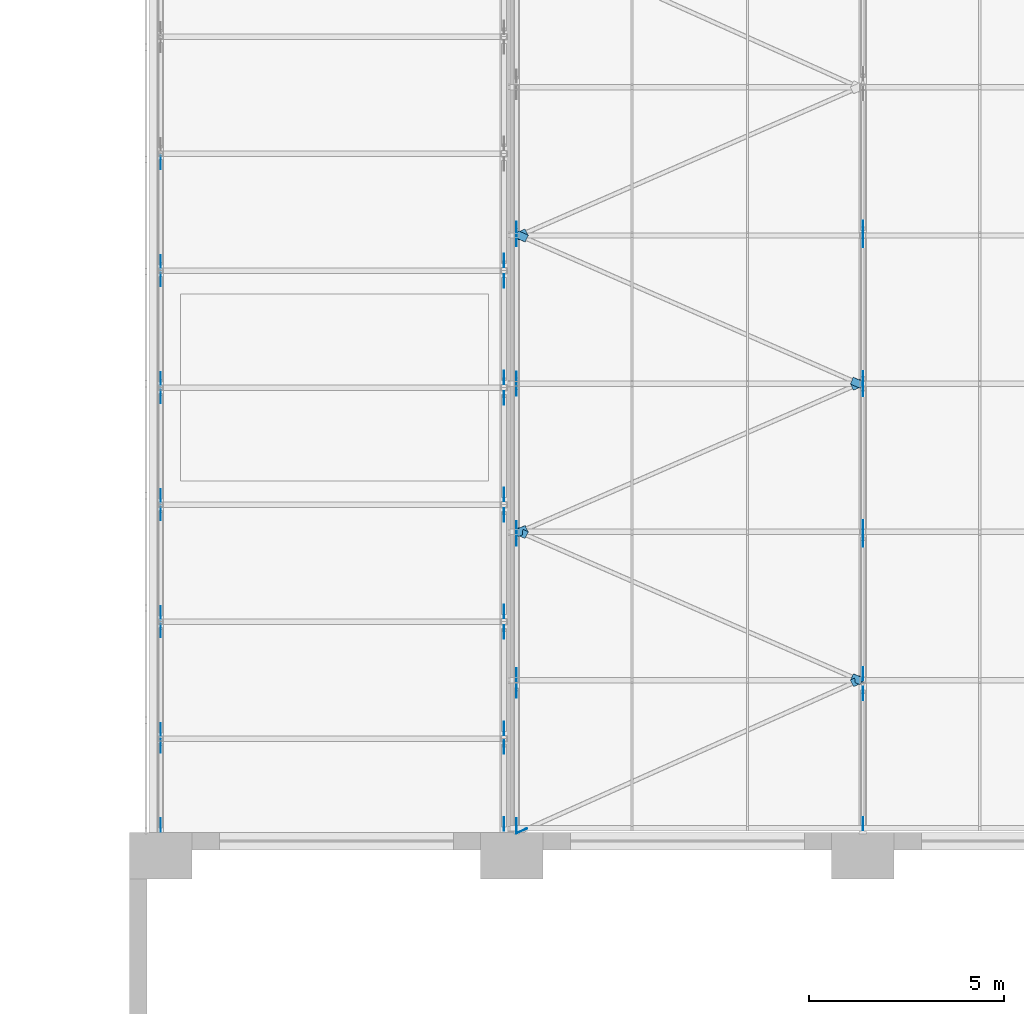
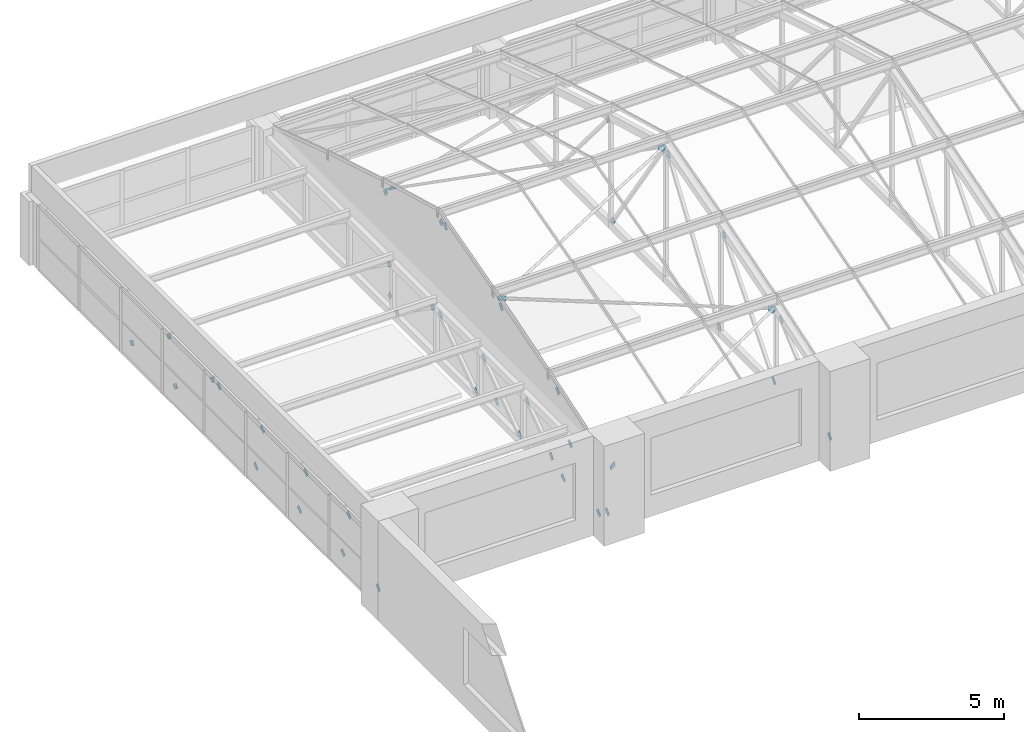
# One storey, part 65 of 82: 50 discrete accessories.
"""IFC4 building model written with IfcOpenShell, lengths in metres."""

from ifc_helpers import new_model, si_unit, direction, frame, origin, place, context, subcontext, project, spatial, polyline, outline, extrude, material, layer, layer_set, type_object, element, save


model = new_model("IFC4")

# Units and contexts
model_context = context("Model", 3, precision=1e-05, world=origin(), true_north=direction((0.0, 1.0)))
body_context = subcontext(model_context, "Body", "Model", "MODEL_VIEW")
ifc_project = project(units=[si_unit("LENGTHUNIT", "METRE"), si_unit("AREAUNIT", "SQUARE_METRE"), si_unit("VOLUMEUNIT", "CUBIC_METRE"), si_unit("PLANEANGLEUNIT", "RADIAN"), si_unit("MASSUNIT", "GRAM", prefix="KILO")], contexts=[model_context])

# Site, building, storey
site_placement = place(None, origin())
site = spatial("IfcSite", under=ifc_project, at=site_placement, CompositionType="ELEMENT")
building_placement = place(site_placement, origin())
building = spatial("IfcBuilding", under=site, at=building_placement, Name="Aravalli Gate Trade Fair Centre", CompositionType="ELEMENT")
storey_placement = place(building_placement, frame((0.0, 0.0, 19.199951171875)))
storey = spatial("IfcBuildingStorey", under=building, at=storey_placement, Name="L04", CompositionType="ELEMENT", Elevation=19.199951171875)

# Discrete accessories
ifc_material = material(Name="Steel E350", Category="steel")
ifc_layer = layer(ifc_material, 0.010009765625)
ifc_layer_set = layer_set([ifc_layer], Name="Steel E350")
discrete_accessory_type = type_object("IfcDiscreteAccessoryType", Name="Gusset plate 200 x 200 x 10", PredefinedType="USERDEFINED", material=ifc_layer_set)
discrete_accessory_1_placement = place(storey_placement, frame((5.9951171875, 109.955078125, 0.30908203125), z_axis=(-1.0, 0.0, 0.0), x_axis=(0.0, -0.744420022913, -0.667711636477)))
element("IfcDiscreteAccessory", 1, at=discrete_accessory_1_placement, inside=storey, type_object=discrete_accessory_type, Name="Gusset plate Concourse truss CT3 line 01 diagonal D1 end A", ObjectType="GUSSET PLATE", PredefinedType="USERDEFINED", context=body_context, shape_type="SweptSolid", body=[
    extrude(outline(polyline([(0.0, 0.0), (0.2800785676535031, 0.0), (0.2797078456376465, 0.20005155945215952), (-0.00020770647960736965, 0.19986981628250308), (0.0, 0.0)])), origin(), (0.0, 0.0, -1.0), 0.010009765625),
])
discrete_accessory_2_placement = place(storey_placement, frame((5.9951171875, 111.644775390625, 2.091064453125), z_axis=(-1.0, 0.0, 0.0), x_axis=(0.0, 0.745241313525, 0.66679485947)))
element("IfcDiscreteAccessory", 2, at=discrete_accessory_2_placement, inside=storey, type_object=discrete_accessory_type, Name="Gusset plate Concourse truss CT3 line 01 diagonal D1 end B", ObjectType="GUSSET PLATE", PredefinedType="USERDEFINED", context=body_context, shape_type="SweptSolid", body=[
    extrude(outline(polyline([(0.0, 0.0), (0.2800975074605412, 0.0), (0.28013581139318533, 0.19986992053731334), (0.00022024761270401927, 0.2000327122510511), (0.0, 0.0)])), origin(), (0.0, 0.0, -1.0), 0.010009765625),
])
discrete_accessory_3_placement = place(storey_placement, frame((6.0048828125, 112.27880859375, 0.44775390625), z_axis=(1.0, 0.0, 0.0), x_axis=(0.0, -0.813085248779, -0.582144636854)))
element("IfcDiscreteAccessory", 3, at=discrete_accessory_3_placement, inside=storey, type_object=discrete_accessory_type, Name="Gusset plate Concourse truss CT3 line 01 diagonal D2 end A", ObjectType="GUSSET PLATE", PredefinedType="USERDEFINED", context=body_context, shape_type="SweptSolid", body=[
    extrude(outline(polyline([(0.0, 0.0), (0.28014676624251605, 0.0), (0.28011421362456884, 0.19999945494780752), (-3.255261794719855e-05, 0.1999994549478075), (0.0, 0.0)])), origin(), (0.0, 0.0, -1.0), 0.010009765625),
])
discrete_accessory_4_placement = place(storey_placement, frame((5.9951171875, 114.604736328125, 2.11474609375), z_axis=(-1.0, 0.0, 0.0), x_axis=(0.0, 0.813085248779, 0.582144636854)))
element("IfcDiscreteAccessory", 4, at=discrete_accessory_4_placement, inside=storey, type_object=discrete_accessory_type, Name="Gusset plate Concourse truss CT3 line 01 diagonal D2 end B", ObjectType="GUSSET PLATE", PredefinedType="USERDEFINED", context=body_context, shape_type="SweptSolid", body=[
    extrude(outline(polyline([(0.0, 0.0), (0.28014676624251605, 0.0), (0.2801793188604632, 0.1999994549478075), (3.255261794719855e-05, 0.1999994549478075), (0.0, 0.0)])), origin(), (0.0, 0.0, -1.0), 0.010009765625),
])
discrete_accessory_5_placement = place(storey_placement, frame((6.0048828125, 115.27880859375, 0.44775390625), z_axis=(1.0, 0.0, 0.0), x_axis=(0.0, -0.813085248779, -0.582144636854)))
element("IfcDiscreteAccessory", 5, at=discrete_accessory_5_placement, inside=storey, type_object=discrete_accessory_type, Name="Gusset plate Concourse truss CT3 line 01 diagonal D3 end A", ObjectType="GUSSET PLATE", PredefinedType="USERDEFINED", context=body_context, shape_type="SweptSolid", body=[
    extrude(outline(polyline([(0.0, 0.0), (0.28014676624251605, 0.0), (0.28011421362456884, 0.19999945494780752), (-3.255261794719855e-05, 0.1999994549478075), (0.0, 0.0)])), origin(), (0.0, 0.0, -1.0), 0.010009765625),
])
discrete_accessory_6_placement = place(storey_placement, frame((5.9951171875, 117.604736328125, 2.11474609375), z_axis=(-1.0, 0.0, 0.0), x_axis=(0.0, 0.813085248779, 0.582144636854)))
element("IfcDiscreteAccessory", 6, at=discrete_accessory_6_placement, inside=storey, type_object=discrete_accessory_type, Name="Gusset plate Concourse truss CT3 line 01 diagonal D3 end B", ObjectType="GUSSET PLATE", PredefinedType="USERDEFINED", context=body_context, shape_type="SweptSolid", body=[
    extrude(outline(polyline([(0.0, 0.0), (0.28014676624251605, 0.0), (0.2801793188604632, 0.1999994549478075), (3.255261794719855e-05, 0.1999994549478075), (0.0, 0.0)])), origin(), (0.0, 0.0, -1.0), 0.010009765625),
])
discrete_accessory_7_placement = place(storey_placement, frame((6.0048828125, 118.27880859375, 0.44775390625), z_axis=(1.0, 0.0, 0.0), x_axis=(0.0, -0.813085248779, -0.582144636854)))
element("IfcDiscreteAccessory", 7, at=discrete_accessory_7_placement, inside=storey, type_object=discrete_accessory_type, Name="Gusset plate Concourse truss CT3 line 01 diagonal D4 end A", ObjectType="GUSSET PLATE", PredefinedType="USERDEFINED", context=body_context, shape_type="SweptSolid", body=[
    extrude(outline(polyline([(0.0, 0.0), (0.28014676624251605, 0.0), (0.28011421362456884, 0.19999945494780752), (-3.255261794719855e-05, 0.1999994549478075), (0.0, 0.0)])), origin(), (0.0, 0.0, -1.0), 0.010009765625),
])
discrete_accessory_8_placement = place(storey_placement, frame((5.9951171875, 120.604736328125, 2.11474609375), z_axis=(-1.0, 0.0, 0.0), x_axis=(0.0, 0.813085248779, 0.582144636854)))
element("IfcDiscreteAccessory", 8, at=discrete_accessory_8_placement, inside=storey, type_object=discrete_accessory_type, Name="Gusset plate Concourse truss CT3 line 01 diagonal D4 end B", ObjectType="GUSSET PLATE", PredefinedType="USERDEFINED", context=body_context, shape_type="SweptSolid", body=[
    extrude(outline(polyline([(0.0, 0.0), (0.28014676624251605, 0.0), (0.2801793188604632, 0.1999994549478075), (3.255261794719855e-05, 0.1999994549478075), (0.0, 0.0)])), origin(), (0.0, 0.0, -1.0), 0.010009765625),
])
discrete_accessory_9_placement = place(storey_placement, frame((5.9951171875, 121.27880859375, 1.9521484375), z_axis=(-1.0, 0.0, 0.0), x_axis=(0.0, -0.813085248779, 0.582144636854)))
element("IfcDiscreteAccessory", 9, at=discrete_accessory_9_placement, inside=storey, type_object=discrete_accessory_type, Name="Gusset plate Concourse truss CT3 line 01 diagonal D5 end A", ObjectType="GUSSET PLATE", PredefinedType="USERDEFINED", context=body_context, shape_type="SweptSolid", body=[
    extrude(outline(polyline([(0.0, 0.0), (0.28014676624251605, 0.0), (0.28011421362456884, 0.19999945494780752), (-3.255261794719855e-05, 0.1999994549478075), (0.0, 0.0)])), origin(), (0.0, 0.0, -1.0), 0.010009765625),
])
discrete_accessory_10_placement = place(storey_placement, frame((6.0048828125, 123.604736328125, 0.28515625), z_axis=(1.0, 0.0, 0.0), x_axis=(0.0, 0.813085248779, -0.582144636854)))
element("IfcDiscreteAccessory", 10, at=discrete_accessory_10_placement, inside=storey, type_object=discrete_accessory_type, Name="Gusset plate Concourse truss CT3 line 01 diagonal D5 end B", ObjectType="GUSSET PLATE", PredefinedType="USERDEFINED", context=body_context, shape_type="SweptSolid", body=[
    extrude(outline(polyline([(0.0, 0.0), (0.28014676624251605, 0.0), (0.2801793188604632, 0.1999994549478075), (3.255261794719855e-05, 0.1999994549478075), (0.0, 0.0)])), origin(), (0.0, 0.0, -1.0), 0.010009765625),
])
discrete_accessory_11_placement = place(storey_placement, frame((5.9951171875, 124.27880859375, 1.9521484375), z_axis=(-1.0, 0.0, 0.0), x_axis=(0.0, -0.813085248779, 0.582144636854)))
element("IfcDiscreteAccessory", 11, at=discrete_accessory_11_placement, inside=storey, type_object=discrete_accessory_type, Name="Gusset plate Concourse truss CT3 line 01 diagonal D6 end A", ObjectType="GUSSET PLATE", PredefinedType="USERDEFINED", context=body_context, shape_type="SweptSolid", body=[
    extrude(outline(polyline([(0.0, 0.0), (0.28014676624251605, 0.0), (0.28011421362456884, 0.19999945494780752), (-3.255261794719855e-05, 0.1999994549478075), (0.0, 0.0)])), origin(), (0.0, 0.0, -1.0), 0.010009765625),
])
discrete_accessory_12_placement = place(storey_placement, frame((6.0048828125, 126.604736328125, 0.28515625), z_axis=(1.0, 0.0, 0.0), x_axis=(0.0, 0.813085248779, -0.582144636854)))
element("IfcDiscreteAccessory", 12, at=discrete_accessory_12_placement, inside=storey, type_object=discrete_accessory_type, Name="Gusset plate Concourse truss CT3 line 01 diagonal D6 end B", ObjectType="GUSSET PLATE", PredefinedType="USERDEFINED", context=body_context, shape_type="SweptSolid", body=[
    extrude(outline(polyline([(0.0, 0.0), (0.28014676624251605, 0.0), (0.2801793188604632, 0.1999994549478075), (3.255261794719855e-05, 0.1999994549478075), (0.0, 0.0)])), origin(), (0.0, 0.0, -1.0), 0.010009765625),
])
discrete_accessory_13_placement = place(storey_placement, frame((14.794921875, 109.98779296875, 0.3564453125), z_axis=(-1.0, 0.0, 0.0), x_axis=(0.0, -0.752630716672, -0.658442863369)))
element("IfcDiscreteAccessory", 13, at=discrete_accessory_13_placement, inside=storey, type_object=discrete_accessory_type, Name="Gusset plate Concourse truss CT4 line 02F diagonal D1 end A", ObjectType="GUSSET PLATE", PredefinedType="USERDEFINED", context=body_context, shape_type="SweptSolid", body=[
    extrude(outline(polyline([(0.0, 0.0), (0.27994254646769035, 0.0), (0.27998193619041234, 0.20017878379052145), (-0.0001443580108405479, 0.20001803113833178), (0.0, 0.0)])), origin(), (0.0, 0.0, -1.0), 0.010009765625),
])
discrete_accessory_14_placement = place(storey_placement, frame((14.794921875, 111.6123046875, 2.043701171875), z_axis=(-1.0, 0.0, 0.0), x_axis=(0.0, 0.752630716672, 0.658442863369)))
element("IfcDiscreteAccessory", 14, at=discrete_accessory_14_placement, inside=storey, type_object=discrete_accessory_type, Name="Gusset plate Concourse truss CT4 line 02F diagonal D1 end B", ObjectType="GUSSET PLATE", PredefinedType="USERDEFINED", context=body_context, shape_type="SweptSolid", body=[
    extrude(outline(polyline([(0.0, 0.0), (0.27994254646769035, 0.0), (0.2797981884568498, 0.20001803113833175), (-0.0001443580108405479, 0.20001803113833178), (0.0, 0.0)])), origin(), (0.0, 0.0, -1.0), 0.010009765625),
])
discrete_accessory_15_placement = place(storey_placement, frame((14.804931640625, 112.32080078125, 0.49658203125), z_axis=(1.0, 0.0, 0.0), x_axis=(0.0, -0.819231920519, -0.573462344363)))
element("IfcDiscreteAccessory", 15, at=discrete_accessory_15_placement, inside=storey, type_object=discrete_accessory_type, Name="Gusset plate Concourse truss CT4 line 02F diagonal D2 end A", ObjectType="GUSSET PLATE", PredefinedType="USERDEFINED", context=body_context, shape_type="SweptSolid", body=[
    extrude(outline(polyline([(0.0, 0.0), (0.2801309150095137, 0.0), (0.2799309072164182, 0.19980778530237336), (-6.0002337928632965e-05, 0.20000779309546884), (0.0, 0.0)])), origin(), (0.0, 0.0, -1.0), 0.010009765625),
])
discrete_accessory_16_placement = place(storey_placement, frame((14.794921875, 114.564453125, 2.067138671875), z_axis=(-1.0, 0.0, 0.0), x_axis=(0.0, 0.819231920519, 0.573462344363)))
element("IfcDiscreteAccessory", 16, at=discrete_accessory_16_placement, inside=storey, type_object=discrete_accessory_type, Name="Gusset plate Concourse truss CT4 line 02F diagonal D2 end B", ObjectType="GUSSET PLATE", PredefinedType="USERDEFINED", context=body_context, shape_type="SweptSolid", body=[
    extrude(outline(polyline([(0.0, 0.0), (0.2801309150095137, 0.0), (0.28019091734744234, 0.20000779309546887), (0.00020000779309546635, 0.19980778530237342), (0.0, 0.0)])), origin(), (0.0, 0.0, -1.0), 0.010009765625),
])
discrete_accessory_17_placement = place(storey_placement, frame((14.804931640625, 115.32080078125, 0.49658203125), z_axis=(1.0, 0.0, 0.0), x_axis=(0.0, -0.819231920519, -0.573462344363)))
element("IfcDiscreteAccessory", 17, at=discrete_accessory_17_placement, inside=storey, type_object=discrete_accessory_type, Name="Gusset plate Concourse truss CT4 line 02F diagonal D3 end A", ObjectType="GUSSET PLATE", PredefinedType="USERDEFINED", context=body_context, shape_type="SweptSolid", body=[
    extrude(outline(polyline([(0.0, 0.0), (0.2801309150095137, 0.0), (0.2799309072164182, 0.19980778530237336), (-6.0002337928632965e-05, 0.20000779309546884), (0.0, 0.0)])), origin(), (0.0, 0.0, -1.0), 0.010009765625),
])
discrete_accessory_18_placement = place(storey_placement, frame((14.794921875, 117.564453125, 2.067138671875), z_axis=(-1.0, 0.0, 0.0), x_axis=(0.0, 0.819231920519, 0.573462344363)))
element("IfcDiscreteAccessory", 18, at=discrete_accessory_18_placement, inside=storey, type_object=discrete_accessory_type, Name="Gusset plate Concourse truss CT4 line 02F diagonal D3 end B", ObjectType="GUSSET PLATE", PredefinedType="USERDEFINED", context=body_context, shape_type="SweptSolid", body=[
    extrude(outline(polyline([(0.0, 0.0), (0.2801309150095137, 0.0), (0.28019091734744234, 0.20000779309546887), (0.00020000779309546635, 0.19980778530237342), (0.0, 0.0)])), origin(), (0.0, 0.0, -1.0), 0.010009765625),
])
discrete_accessory_19_placement = place(storey_placement, frame((14.804931640625, 118.32080078125, 0.49658203125), z_axis=(1.0, 0.0, 0.0), x_axis=(0.0, -0.819231920519, -0.573462344363)))
element("IfcDiscreteAccessory", 19, at=discrete_accessory_19_placement, inside=storey, type_object=discrete_accessory_type, Name="Gusset plate Concourse truss CT4 line 02F diagonal D4 end A", ObjectType="GUSSET PLATE", PredefinedType="USERDEFINED", context=body_context, shape_type="SweptSolid", body=[
    extrude(outline(polyline([(0.0, 0.0), (0.2801309150095137, 0.0), (0.2799309072164182, 0.19980778530237336), (-6.0002337928632965e-05, 0.20000779309546884), (0.0, 0.0)])), origin(), (0.0, 0.0, -1.0), 0.010009765625),
])
discrete_accessory_20_placement = place(storey_placement, frame((14.794921875, 120.564453125, 2.067138671875), z_axis=(-1.0, 0.0, 0.0), x_axis=(0.0, 0.819231920519, 0.573462344363)))
element("IfcDiscreteAccessory", 20, at=discrete_accessory_20_placement, inside=storey, type_object=discrete_accessory_type, Name="Gusset plate Concourse truss CT4 line 02F diagonal D4 end B", ObjectType="GUSSET PLATE", PredefinedType="USERDEFINED", context=body_context, shape_type="SweptSolid", body=[
    extrude(outline(polyline([(0.0, 0.0), (0.2801309150095137, 0.0), (0.28019091734744234, 0.20000779309546887), (0.00020000779309546635, 0.19980778530237342), (0.0, 0.0)])), origin(), (0.0, 0.0, -1.0), 0.010009765625),
])
discrete_accessory_21_placement = place(storey_placement, frame((14.794921875, 121.32080078125, 1.903564453125), z_axis=(-1.0, 0.0, 0.0), x_axis=(0.0, -0.819641356618, 0.572876990742)))
element("IfcDiscreteAccessory", 21, at=discrete_accessory_21_placement, inside=storey, type_object=discrete_accessory_type, Name="Gusset plate Concourse truss CT4 line 02F diagonal D5 end A", ObjectType="GUSSET PLATE", PredefinedType="USERDEFINED", context=body_context, shape_type="SweptSolid", body=[
    extrude(outline(polyline([(0.0, 0.0), (0.27999098099079506, 0.0), (0.2797881057900656, 0.20000769920393907), (-0.00034273774729741413, 0.19980759145085858), (0.0, 0.0)])), origin(), (0.0, 0.0, -1.0), 0.010009765625),
])
discrete_accessory_22_placement = place(storey_placement, frame((14.804931640625, 123.564453125, 0.332763671875), z_axis=(1.0, 0.0, 0.0), x_axis=(0.0, 0.819641356618, -0.572876990742)))
element("IfcDiscreteAccessory", 22, at=discrete_accessory_22_placement, inside=storey, type_object=discrete_accessory_type, Name="Gusset plate Concourse truss CT4 line 02F diagonal D5 end B", ObjectType="GUSSET PLATE", PredefinedType="USERDEFINED", context=body_context, shape_type="SweptSolid", body=[
    extrude(outline(polyline([(0.0, 0.0), (0.27999098099079506, 0.0), (0.28033371873809243, 0.1998075914508586), (0.00020287520072946597, 0.20000769920393907), (0.0, 0.0)])), origin(), (0.0, 0.0, -1.0), 0.010009765625),
])
discrete_accessory_23_placement = place(storey_placement, frame((14.794921875, 124.32080078125, 1.903564453125), z_axis=(-1.0, 0.0, 0.0), x_axis=(0.0, -0.819641356618, 0.572876990742)))
element("IfcDiscreteAccessory", 23, at=discrete_accessory_23_placement, inside=storey, type_object=discrete_accessory_type, Name="Gusset plate Concourse truss CT4 line 02F diagonal D6 end A", ObjectType="GUSSET PLATE", PredefinedType="USERDEFINED", context=body_context, shape_type="SweptSolid", body=[
    extrude(outline(polyline([(0.0, 0.0), (0.27999098099079506, 0.0), (0.2797881057900656, 0.20000769920393907), (-0.00034273774729741413, 0.19980759145085858), (0.0, 0.0)])), origin(), (0.0, 0.0, -1.0), 0.010009765625),
])
discrete_accessory_24_placement = place(storey_placement, frame((15.1201171875, 109.958740234375, 0.306884765625), z_axis=(-1.0, 0.0, 0.0), x_axis=(0.0, -0.751387517828, -0.65986119605)))
element("IfcDiscreteAccessory", 24, at=discrete_accessory_24_placement, inside=storey, type_object=discrete_accessory_type, Name="Gusset plate Concourse vault truss CT2 line 02 diagonal D1 end A", ObjectType="GUSSET PLATE", PredefinedType="USERDEFINED", context=body_context, shape_type="SweptSolid", body=[
    extrude(outline(polyline([(0.0, 0.0), (0.28008080219175713, 0.0), (0.28008718656130066, 0.2001561567492655), (0.0001674832943605875, 0.19997271253104593), (0.0, 0.0)])), origin(), (0.0, 0.0, -1.0), 0.010009765625),
])
discrete_accessory_25_placement = place(storey_placement, frame((15.1201171875, 113.0439453125, 3.28125), z_axis=(-1.0, 0.0, 0.0), x_axis=(0.0, 0.751387517828, 0.65986119605)))
element("IfcDiscreteAccessory", 25, at=discrete_accessory_25_placement, inside=storey, type_object=discrete_accessory_type, Name="Gusset plate Concourse vault truss CT2 line 02 diagonal D1 end B", ObjectType="GUSSET PLATE", PredefinedType="USERDEFINED", context=body_context, shape_type="SweptSolid", body=[
    extrude(outline(polyline([(0.0, 0.0), (0.28008080219175713, 0.0), (0.2799037423430811, 0.19999505782444854), (-0.00017705984867599778, 0.19999505782444854), (0.0, 0.0)])), origin(), (0.0, 0.0, -1.0), 0.010009765625),
])
discrete_accessory_26_placement = place(storey_placement, frame((15.1298828125, 113.65478515625, 0.4677734375), z_axis=(1.0, 0.0, 0.0), x_axis=(0.0, -0.639154613672, -0.769078266383)))
element("IfcDiscreteAccessory", 26, at=discrete_accessory_26_placement, inside=storey, type_object=discrete_accessory_type, Name="Gusset plate Concourse vault truss CT2 line 02 diagonal D2 end A", ObjectType="GUSSET PLATE", PredefinedType="USERDEFINED", context=body_context, shape_type="SweptSolid", body=[
    extrude(outline(polyline([(0.0, 0.0), (0.27998714911398315, 0.0), (0.27987985582905256, 0.19990165302035742), (8.046996369795445e-05, 0.20005769662721085), (0.0, 0.0)])), origin(), (0.0, 0.0, -1.0), 0.010009765625),
])
discrete_accessory_27_placement = place(storey_placement, frame((15.1201171875, 116.950439453125, 4.43505859375), z_axis=(-1.0, 0.0, 0.0), x_axis=(0.0, 0.639154613672, 0.769078266383)))
element("IfcDiscreteAccessory", 27, at=discrete_accessory_27_placement, inside=storey, type_object=discrete_accessory_type, Name="Gusset plate Concourse vault truss CT2 line 02 diagonal D2 end B", ObjectType="GUSSET PLATE", PredefinedType="USERDEFINED", context=body_context, shape_type="SweptSolid", body=[
    extrude(outline(polyline([(0.0, 0.0), (0.27998714911398315, 0.0), (0.28009444239891373, 0.1999016530203574), (-8.046996369795445e-05, 0.20005769662721085), (0.0, 0.0)])), origin(), (0.0, 0.0, -1.0), 0.010009765625),
])
discrete_accessory_28_placement = place(storey_placement, frame((15.1298828125, 117.41357421875, 0.4716796875), z_axis=(1.0, 0.0, 0.0), x_axis=(0.0, -0.559922143082, -0.828545227303)))
element("IfcDiscreteAccessory", 28, at=discrete_accessory_28_placement, inside=storey, type_object=discrete_accessory_type, Name="Gusset plate Concourse vault truss CT2 line 02 diagonal D3 end A", ObjectType="GUSSET PLATE", PredefinedType="USERDEFINED", context=body_context, shape_type="SweptSolid", body=[
    extrude(outline(polyline([(0.0, 0.0), (0.27992870649326795, 0.0), (0.27995681298226976, 0.2000943537630191), (-3.74753186691279e-05, 0.19975537247142117), (0.0, 0.0)])), origin(), (0.0, 0.0, -1.0), 0.010009765625),
])
discrete_accessory_29_placement = place(storey_placement, frame((15.1201171875, 120.797607421875, 5.481201171875), z_axis=(-1.0, 0.0, 0.0), x_axis=(0.0, 0.559322982609, 0.828949818219)))
element("IfcDiscreteAccessory", 29, at=discrete_accessory_29_placement, inside=storey, type_object=discrete_accessory_type, Name="Gusset plate Concourse vault truss CT2 line 02 diagonal D3 end B", ObjectType="GUSSET PLATE", PredefinedType="USERDEFINED", context=body_context, shape_type="SweptSolid", body=[
    extrude(outline(polyline([(0.0, 0.0), (0.2797920798731574, 0.0), (0.2798216913104345, 0.19995772768692557), (-0.0003093223519876065, 0.19989190082276292), (0.0, 0.0)])), origin(), (0.0, 0.0, -1.0), 0.010009765625),
])
discrete_accessory_30_placement = place(storey_placement, frame((15.1201171875, 121.23681640625, 5.369140625), z_axis=(-1.0, 0.0, 0.0), x_axis=(0.0, -0.559517758756, 0.82881836227)))
element("IfcDiscreteAccessory", 30, at=discrete_accessory_30_placement, inside=storey, type_object=discrete_accessory_type, Name="Gusset plate Concourse vault truss CT2 line 02 diagonal D4 end A", ObjectType="GUSSET PLATE", PredefinedType="USERDEFINED", context=body_context, shape_type="SweptSolid", body=[
    extrude(outline(polyline([(0.0, 0.0), (0.2801310213966175, 0.0), (0.28005442269643727, 0.19995771520797853), (0.0001257495327958852, 0.20009431622329993), (0.0, 0.0)])), origin(), (0.0, 0.0, -1.0), 0.010009765625),
])
discrete_accessory_31_placement = place(storey_placement, frame((15.1298828125, 124.620849609375, 0.35986328125), z_axis=(1.0, 0.0, 0.0), x_axis=(0.0, 0.559517758756, -0.82881836227)))
element("IfcDiscreteAccessory", 31, at=discrete_accessory_31_placement, inside=storey, type_object=discrete_accessory_type, Name="Gusset plate Concourse vault truss CT2 line 02 diagonal D4 end B", ObjectType="GUSSET PLATE", PredefinedType="USERDEFINED", context=body_context, shape_type="SweptSolid", body=[
    extrude(outline(polyline([(0.0, 0.0), (0.2801310213966175, 0.0), (0.2798686708485002, 0.19989196799032383), (7.65987001802304e-05, 0.1999577152079785), (0.0, 0.0)])), origin(), (0.0, 0.0, -1.0), 0.010009765625),
])
discrete_accessory_32_placement = place(storey_placement, frame((15.1201171875, 125.095703125, 4.30712890625), z_axis=(-1.0, 0.0, 0.0), x_axis=(0.0, -0.638726175947, 0.76943412464)))
element("IfcDiscreteAccessory", 32, at=discrete_accessory_32_placement, inside=storey, type_object=discrete_accessory_type, Name="Gusset plate Concourse vault truss CT2 line 02 diagonal D5 end A", ObjectType="GUSSET PLATE", PredefinedType="USERDEFINED", context=body_context, shape_type="SweptSolid", body=[
    extrude(outline(polyline([(0.0, 0.0), (0.28017495581690455, 0.0), (0.2800230588843413, 0.20008953190135664), (0.0001918922033221776, 0.20005762078107026), (0.0, 0.0)])), origin(), (0.0, 0.0, -1.0), 0.010009765625),
])
discrete_accessory_33_placement = place(storey_placement, frame((23.9951171875, 109.990234375, 0.355224609375), z_axis=(-1.0, 0.0, 0.0), x_axis=(0.0, -0.756666176812, -0.653801420057)))
element("IfcDiscreteAccessory", 33, at=discrete_accessory_33_placement, inside=storey, type_object=discrete_accessory_type, Name="Gusset plate Concourse vault truss CT1 line 03 diagonal D1 end A", ObjectType="GUSSET PLATE", PredefinedType="USERDEFINED", context=body_context, shape_type="SweptSolid", body=[
    extrude(outline(polyline([(0.0, 0.0), (0.28006281897354945, 0.0), (0.28009048635135136, 0.1997461238225559), (5.27808438066657e-05, 0.2000904762631978), (0.0, 0.0)])), origin(), (0.0, 0.0, -1.0), 0.010009765625),
])
discrete_accessory_34_placement = place(storey_placement, frame((23.9951171875, 112.988525390625, 3.212158203125), z_axis=(-1.0, 0.0, 0.0), x_axis=(0.0, 0.756293179151, 0.654232853937)))
element("IfcDiscreteAccessory", 34, at=discrete_accessory_34_placement, inside=storey, type_object=discrete_accessory_type, Name="Gusset plate Concourse vault truss CT1 line 03 diagonal D1 end B", ObjectType="GUSSET PLATE", PredefinedType="USERDEFINED", context=body_context, shape_type="SweptSolid", body=[
    extrude(outline(polyline([(0.0, 0.0), (0.2798781315371493, 0.0), (0.27981679720709274, 0.20009047382409476), (-6.133433005656164e-05, 0.20009047382409473), (0.0, 0.0)])), origin(), (0.0, 0.0, -1.0), 0.010009765625),
])
discrete_accessory_35_placement = place(storey_placement, frame((24.0048828125, 113.677978515625, 0.517578125), z_axis=(1.0, 0.0, 0.0), x_axis=(0.0, -0.642926085547, -0.765928226744)))
element("IfcDiscreteAccessory", 35, at=discrete_accessory_35_placement, inside=storey, type_object=discrete_accessory_type, Name="Gusset plate Concourse vault truss CT1 line 03 diagonal D2 end A", ObjectType="GUSSET PLATE", PredefinedType="USERDEFINED", context=body_context, shape_type="SweptSolid", body=[
    extrude(outline(polyline([(0.0, 0.0), (0.2798636494456477, 2.7755575615628914e-17), (0.2799929267542597, 0.1999655872196676), (-2.768706774226859e-05, 0.20015258141565), (0.0, 0.0)])), origin(), (0.0, 0.0, -1.0), 0.010009765625),
])
discrete_accessory_36_placement = place(storey_placement, frame((23.9951171875, 116.918212890625, 4.374267578125), z_axis=(-1.0, 0.0, 0.0), x_axis=(0.0, 0.643008166301, 0.765859320025)))
element("IfcDiscreteAccessory", 36, at=discrete_accessory_36_placement, inside=storey, type_object=discrete_accessory_type, Name="Gusset plate Concourse vault truss CT1 line 03 diagonal D2 end B", ObjectType="GUSSET PLATE", PredefinedType="USERDEFINED", context=body_context, shape_type="SweptSolid", body=[
    extrude(outline(polyline([(0.0, 0.0), (0.28020760962713065, 0.0), (0.2802567470255098, 0.2001525772990151), (-0.00010784701722174606, 0.19996559992596197), (0.0, 0.0)])), origin(), (0.0, 0.0, -1.0), 0.010009765625),
])
discrete_accessory_37_placement = place(storey_placement, frame((24.0048828125, 117.432373046875, 0.521728515625), z_axis=(1.0, 0.0, 0.0), x_axis=(0.0, -0.563120416317, -0.826374852429)))
element("IfcDiscreteAccessory", 37, at=discrete_accessory_37_placement, inside=storey, type_object=discrete_accessory_type, Name="Gusset plate Concourse vault truss CT1 line 03 diagonal D3 end A", ObjectType="GUSSET PLATE", PredefinedType="USERDEFINED", context=body_context, shape_type="SweptSolid", body=[
    extrude(outline(polyline([(0.0, 0.0), (0.28007303443443027, 0.0), (0.2800062095132191, 0.19996442554114646), (0.00013492675174497926, 0.20010190611153644), (0.0, 0.0)])), origin(), (0.0, 0.0, -1.0), 0.010009765625),
])
discrete_accessory_38_placement = place(storey_placement, frame((23.9951171875, 120.77392578125, 5.423828125), z_axis=(-1.0, 0.0, 0.0), x_axis=(0.0, 0.564121160258, 0.82569202282)))
element("IfcDiscreteAccessory", 38, at=discrete_accessory_38_placement, inside=storey, type_object=discrete_accessory_type, Name="Gusset plate Concourse vault truss CT1 line 03 diagonal D3 end B", ObjectType="GUSSET PLATE", PredefinedType="USERDEFINED", context=body_context, shape_type="SweptSolid", body=[
    extrude(outline(polyline([(0.0, 0.0), (0.2800089688227054, -2.7755575615628914e-17), (0.2801803266875835, 0.19976261286755298), (0.00010749779101053292, 0.20010192272670302), (0.0, 0.0)])), origin(), (0.0, 0.0, -1.0), 0.010009765625),
])
discrete_accessory_39_placement = place(storey_placement, frame((23.9951171875, 121.2607421875, 5.31103515625), z_axis=(-1.0, 0.0, 0.0), x_axis=(0.0, -0.563120416317, 0.826374852429)))
element("IfcDiscreteAccessory", 39, at=discrete_accessory_39_placement, inside=storey, type_object=discrete_accessory_type, Name="Gusset plate Concourse vault truss CT1 line 03 diagonal D4 end A", ObjectType="GUSSET PLATE", PredefinedType="USERDEFINED", context=body_context, shape_type="SweptSolid", body=[
    extrude(outline(polyline([(0.0, 0.0), (0.28007303443443027, 0.0), (0.2800062095132191, 0.19996442554114646), (0.00013492675174497926, 0.20010190611153644), (0.0, 0.0)])), origin(), (0.0, 0.0, -1.0), 0.010009765625),
])
discrete_accessory_40_placement = place(storey_placement, frame((24.0048828125, 124.602294921875, 0.408935546875), z_axis=(1.0, 0.0, 0.0), x_axis=(0.0, 0.563526286674, -0.826098132323)))
element("IfcDiscreteAccessory", 40, at=discrete_accessory_40_placement, inside=storey, type_object=discrete_accessory_type, Name="Gusset plate Concourse vault truss CT1 line 03 diagonal D4 end B", ObjectType="GUSSET PLATE", PredefinedType="USERDEFINED", context=body_context, shape_type="SweptSolid", body=[
    extrude(outline(polyline([(0.0, 0.0), (0.279871316528615, 0.0), (0.2800363695260922, 0.19996436858870342), (-3.6631116859461854e-05, 0.20010194824853597), (0.0, 0.0)])), origin(), (0.0, 0.0, -1.0), 0.010009765625),
])
discrete_accessory_41_placement = place(storey_placement, frame((23.9951171875, 125.128662109375, 4.24560546875), z_axis=(-1.0, 0.0, 0.0), x_axis=(0.0, -0.643008166301, 0.765859320025)))
element("IfcDiscreteAccessory", 41, at=discrete_accessory_41_placement, inside=storey, type_object=discrete_accessory_type, Name="Gusset plate Concourse vault truss CT1 line 03 diagonal D5 end A", ObjectType="GUSSET PLATE", PredefinedType="USERDEFINED", context=body_context, shape_type="SweptSolid", body=[
    extrude(outline(polyline([(0.0, 0.0), (0.28020760962713065, 0.0), (0.2803154566443524, 0.19996559992596197), (0.00010784701722174606, 0.19996559992596197), (0.0, 0.0)])), origin(), (0.0, 0.0, -1.0), 0.010009765625),
])
discrete_accessory_42_placement = place(storey_placement, frame((15.390869140625, 109.69091796875, 2.192626953125), z_axis=(0.408899704582, -0.912579002434, 0.000771950852), x_axis=(-0.90470408769, -0.405481787568, -0.13074797768)))
element("IfcDiscreteAccessory", 42, at=discrete_accessory_42_placement, inside=storey, type_object=discrete_accessory_type, Name="Gusset plate Vault plan brace 2.1 end A", ObjectType="GUSSET PLATE", PredefinedType="USERDEFINED", context=body_context, shape_type="SweptSolid", body=[
    extrude(outline(polyline([(0.0, 0.0), (0.28008888449548, -6.938893903907228e-18), (0.27985076327847763, -0.19992732380165984), (-1.7246195593543373e-05, -0.19995653055728801), (0.0, 0.0)])), origin(), (0.0, 0.0, -1.0), 0.010009765625),
])
discrete_accessory_43_placement = place(storey_placement, frame((23.76171875, 113.331298828125, 3.472412109375), z_axis=(0.002631911255, -0.31200983062, 0.950075227884), x_axis=(0.904298744154, 0.406325005921, 0.130934223502)))
element("IfcDiscreteAccessory", 43, at=discrete_accessory_43_placement, inside=storey, type_object=discrete_accessory_type, Name="Gusset plate Vault plan brace 2.1 end B", ObjectType="GUSSET PLATE", PredefinedType="USERDEFINED", context=body_context, shape_type="SweptSolid", body=[
    extrude(outline(polyline([(0.0, 0.0), (0.2799671347589356, 2.0816681711721685e-17), (0.28007039581981336, 0.1998129262960789), (0.0002024615017764738, 0.20002259602951922), (0.0, 0.0)])), origin(), (0.0, 0.0, -1.0), 0.010009765625),
])
discrete_accessory_44_placement = place(storey_placement, frame((15.34033203125, 117.132080078125, 4.653564453125), z_axis=(0.002704936955, -0.289084550532, 0.957299747185), x_axis=(-0.909720438016, 0.39677434942, 0.122388072535)))
element("IfcDiscreteAccessory", 44, at=discrete_accessory_44_placement, inside=storey, type_object=discrete_accessory_type, Name="Gusset plate Vault plan brace 2.2 end A", ObjectType="GUSSET PLATE", PredefinedType="USERDEFINED", context=body_context, shape_type="SweptSolid", body=[
    extrude(outline(polyline([(0.0, 0.0), (0.27990846581821055, -1.734723475976807e-18), (0.2799830195670329, -0.20007928171264677), (-0.00027429460566248415, -0.1999040115499645), (0.0, 0.0)])), origin(), (0.0, 0.0, -1.0), 0.010009765625),
])
discrete_accessory_45_placement = place(storey_placement, frame((23.676513671875, 113.49169921875, 3.52392578125), z_axis=(-0.008432478977, -0.31296259296, 0.94972801828), x_axis=(0.909309016403, -0.397549086759, -0.12293020908)))
element("IfcDiscreteAccessory", 45, at=discrete_accessory_45_placement, inside=storey, type_object=discrete_accessory_type, Name="Gusset plate Vault plan brace 2.2 end B", ObjectType="GUSSET PLATE", PredefinedType="USERDEFINED", context=body_context, shape_type="SweptSolid", body=[
    extrude(outline(polyline([(0.0, 0.0), (0.2800353630740223, 8.673617379884035e-18), (0.2800342988435586, 0.200109845031871), (-0.00022306350204658737, 0.20000827372734864), (0.0, 0.0)])), origin(), (0.0, 0.0, -1.0), 0.010009765625),
])
discrete_accessory_46_placement = place(storey_placement, frame((15.423583984375, 117.291015625, 4.69970703125), z_axis=(0.013295807464, -0.289666606867, 0.957035254507), x_axis=(-0.911257749525, -0.397516454268, -0.107656781094)))
element("IfcDiscreteAccessory", 46, at=discrete_accessory_46_placement, inside=storey, type_object=discrete_accessory_type, Name="Gusset plate Vault plan brace 2.3 end A", ObjectType="GUSSET PLATE", PredefinedType="USERDEFINED", context=body_context, shape_type="SweptSolid", body=[
    extrude(outline(polyline([(0.0, 0.0), (0.27997403209842403, -2.2551405187698492e-17), (0.2801916579786632, -0.19998857591229147), (0.00019134248641729853, -0.2000543098582206), (0.0, 0.0)])), origin(), (0.0, 0.0, -1.0), 0.010009765625),
])
discrete_accessory_47_placement = place(storey_placement, frame((23.759033203125, 120.931396484375, 5.683349609375), z_axis=(0.002940869089, -0.266704788698, 0.963773784129), x_axis=(0.911252122212, 0.397637289693, 0.107257426825)))
element("IfcDiscreteAccessory", 47, at=discrete_accessory_47_placement, inside=storey, type_object=discrete_accessory_type, Name="Gusset plate Vault plan brace 2.3 end B", ObjectType="GUSSET PLATE", PredefinedType="USERDEFINED", context=body_context, shape_type="SweptSolid", body=[
    extrude(outline(polyline([(0.0, 0.0), (0.2799740564725033, -7.806255641895632e-18), (0.2798152379535209, 0.20001727518678009), (-0.00015881851898234736, 0.20001727518678006), (0.0, 0.0)])), origin(), (0.0, 0.0, -1.0), 0.010009765625),
])
discrete_accessory_48_placement = place(storey_placement, frame((15.341064453125, 124.73388671875, 4.7509765625), z_axis=(0.003292199024, 0.265930727989, 0.963986519271), x_axis=(-0.910934670191, 0.398482427162, -0.10681658058)))
element("IfcDiscreteAccessory", 48, at=discrete_accessory_48_placement, inside=storey, type_object=discrete_accessory_type, Name="Gusset plate Vault plan brace 2.4 end A", ObjectType="GUSSET PLATE", PredefinedType="USERDEFINED", context=body_context, shape_type="SweptSolid", body=[
    extrude(outline(polyline([(0.0, 0.0), (0.28007120092141996, 1.0408340855860843e-17), (0.2802617235802311, -0.1998571243571561), (-5.795234160447388e-06, -0.20001730377669658), (0.0, 0.0)])), origin(), (0.0, 0.0, -1.0), 0.010009765625),
])
discrete_accessory_49_placement = place(storey_placement, frame((23.68212890625, 121.09033203125, 5.675048828125), z_axis=(-0.224137582999, -0.26001863403, 0.939229819503), x_axis=(0.911226717673, -0.397666770465, 0.107363907655)))
element("IfcDiscreteAccessory", 49, at=discrete_accessory_49_placement, inside=storey, type_object=discrete_accessory_type, Name="Gusset plate Vault plan brace 2.4 end B", ObjectType="GUSSET PLATE", PredefinedType="USERDEFINED", context=body_context, shape_type="SweptSolid", body=[
    extrude(outline(polyline([(0.0, 0.0), (0.2799740546732957, 5.204170427930421e-18), (0.2800285589970738, 0.1998045940167227), (-4.258229010498885e-05, 0.20001941715938135), (0.0, 0.0)])), origin(), (0.0, 0.0, -1.0), 0.010009765625),
])
discrete_accessory_50_placement = place(storey_placement, frame((15.423583984375, 124.89306640625, 4.703369140625), z_axis=(0.013919985349, 0.266454002762, 0.963747113314), x_axis=(-0.909307374728, -0.397519291179, 0.123038658177)))
element("IfcDiscreteAccessory", 50, at=discrete_accessory_50_placement, inside=storey, type_object=discrete_accessory_type, Name="Gusset plate Vault plan brace 2.5 end A", ObjectType="GUSSET PLATE", PredefinedType="USERDEFINED", context=body_context, shape_type="SweptSolid", body=[
    extrude(outline(polyline([(0.0, 0.0), (0.28003536118695865, 1.3877787807814457e-17), (0.28003302364950966, -0.20018295356509133), (9.471307074909122e-05, -0.1999685846554654), (0.0, 0.0)])), origin(), (0.0, 0.0, -1.0), 0.010009765625),
])

save(model, "model.ifc")
